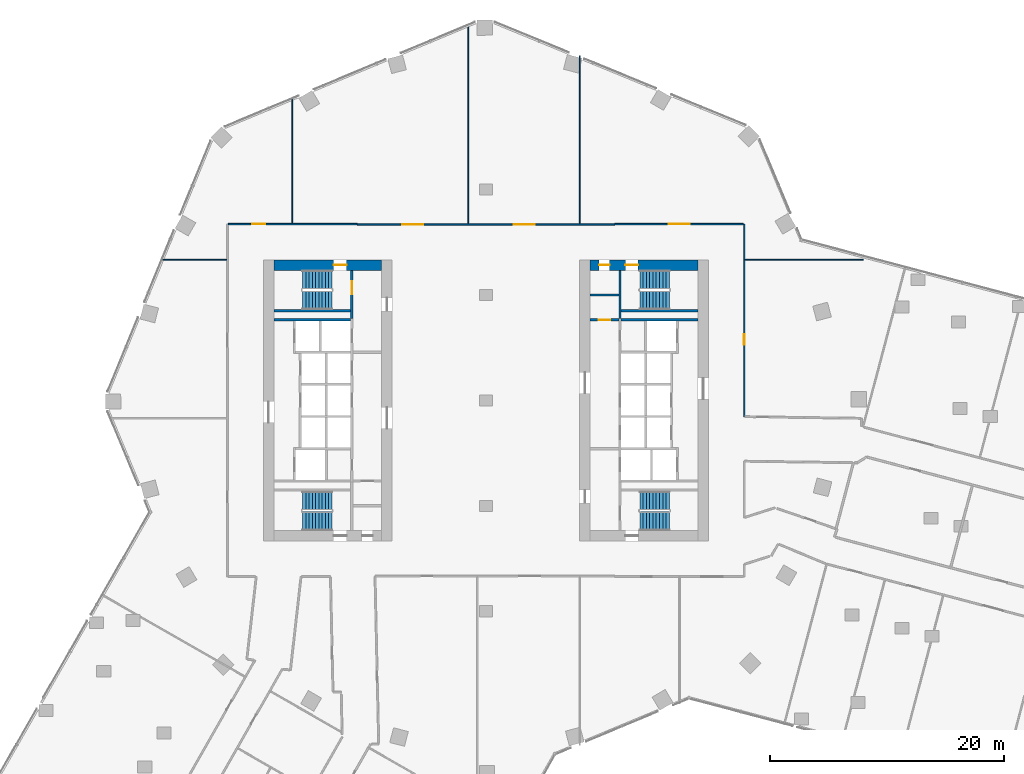
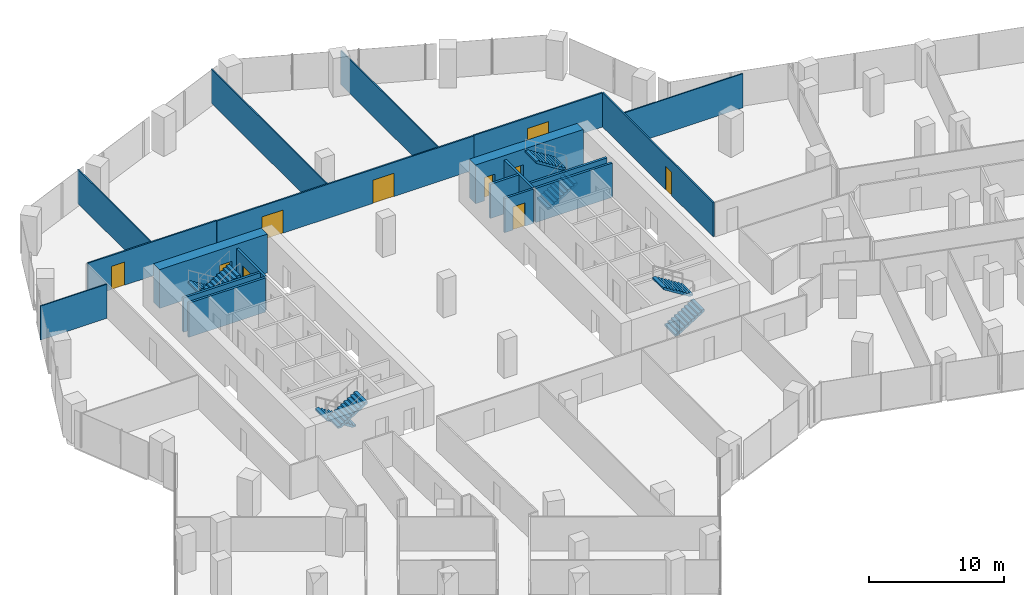
# One storey, part 30 of 34: 19 walls, 10 doors, 8 stair flights, 10 openings, 4 elements without a shape of their own.
"""IFC4 building model written with IfcOpenShell, lengths in metres."""

import ifcopenshell
import ifcopenshell.guid

model = None  # the IFC model being written
_history = None  # IfcOwnerHistory: only IFC2X3 demands one
_inside = {}  # id of a spatial element -> (the spatial element, [elements in it])
_under = {}  # id of a project, library or spatial element -> (it, [spatial elements below it])
_declared = {}  # id of a project -> (the project, [libraries it declares])
_typed = {}  # id of a type object -> (the type object, [elements of that type])
_made_of = {}  # id of a material, layer set ... -> (it, [elements and type objects made of it])


def new_model(schema):
    """Start an empty IFC model of exactly this schema.

    Asked for "IFC4X3", IfcOpenShell would pick the latest addendum, in which some entities
    have other attributes; the version numbers below select the first issue.
    IFC2X3 requires an IfcOwnerHistory on every rooted entity: one is made here for all.
    """
    global model, _history
    if schema == "IFC4X3":
        model = ifcopenshell.file(schema_version=(4, 3, 0, 0))
    else:
        model = ifcopenshell.file(schema=schema)
    _inside.clear()
    _under.clear()
    _declared.clear()
    _typed.clear()
    _made_of.clear()
    _history = None
    if model.schema == "IFC2X3":
        org = make("IfcOrganization", Name="unknown")
        user = make(
            "IfcPersonAndOrganization",
            ThePerson=make("IfcPerson", FamilyName="unknown"),
            TheOrganization=org,
        )
        app = make(
            "IfcApplication",
            ApplicationDeveloper=org,
            Version="unknown",
            ApplicationFullName="unknown",
            ApplicationIdentifier="unknown",
        )
        _history = make(
            "IfcOwnerHistory",
            OwningUser=user,
            OwningApplication=app,
            ChangeAction="ADDED",
            CreationDate=0,
        )
    return model


def make(cls, **values):
    """One entity of the class cls with the attributes given. An attribute that is None is left unset."""
    return model.create_entity(
        cls, **{name: value for name, value in values.items() if value is not None}
    )


def rooted(cls, **values):
    """An entity with a GlobalId (a new one), such as an element, a storey or a relation."""
    return make(cls, GlobalId=ifcopenshell.guid.new(), OwnerHistory=_history, **values)


def si_unit(unit_type, name, prefix=None):
    """IfcSIUnit, for example si_unit("LENGTHUNIT", "METRE", prefix="MILLI")."""
    return make("IfcSIUnit", UnitType=unit_type, Prefix=prefix, Name=name)


def assignment(units):
    """IfcUnitAssignment: the units of a project."""
    return None if units is None else make("IfcUnitAssignment", Units=units)


def point(xyz):
    """IfcCartesianPoint."""
    return None if xyz is None else make("IfcCartesianPoint", Coordinates=xyz)


def direction(xyz):
    """IfcDirection."""
    return None if xyz is None else make("IfcDirection", DirectionRatios=xyz)


def frame(location, z_axis=None, x_axis=None):
    """IfcAxis2Placement3D, a coordinate frame: its origin and axes. An axis left out is left unset."""
    return make(
        "IfcAxis2Placement3D",
        Location=point(location),
        Axis=direction(z_axis),
        RefDirection=direction(x_axis),
    )


def frame_2d(location, x_axis=None):
    """IfcAxis2Placement2D, a coordinate frame in the plane: its origin and x axis."""
    return make(
        "IfcAxis2Placement2D", Location=point(location), RefDirection=direction(x_axis)
    )


def origin():
    """The frame at (0, 0, 0) with its axes left unset."""
    return frame((0.0, 0.0, 0.0))


def place(relative_to, where):
    """IfcLocalPlacement: puts the frame where relative to a parent placement (None: the world)."""
    return make(
        "IfcLocalPlacement", PlacementRelTo=relative_to, RelativePlacement=where
    )


def context(
    kind, dimensions, precision=None, world=None, true_north=None, identifier=None
):
    """IfcGeometricRepresentationContext, for example the 3D "Model" context."""
    return make(
        "IfcGeometricRepresentationContext",
        ContextIdentifier=identifier,
        ContextType=kind,
        CoordinateSpaceDimension=dimensions,
        Precision=precision,
        WorldCoordinateSystem=world,
        TrueNorth=true_north,
    )


def subcontext(parent, identifier, kind, view, scale=None):
    """IfcGeometricRepresentationSubContext, for example "Body" below "Model"."""
    return make(
        "IfcGeometricRepresentationSubContext",
        ContextIdentifier=identifier,
        ContextType=kind,
        ParentContext=parent,
        TargetScale=scale,
        TargetView=view,
    )


def project(units=None, contexts=None):
    """IfcProject with its units and contexts."""
    return rooted(
        "IfcProject",
        Name="project",
        RepresentationContexts=contexts,
        UnitsInContext=assignment(units),
    )


def spatial(cls, under=None, at=None, **own):
    """A site, building, storey or space (cls), placed at a placement, below another one or the project."""
    s = rooted(cls, ObjectPlacement=at, **own)
    if under is not None:
        _under.setdefault(under.id(), (under, []))[1].append(s)
    return s


def polyline(points):
    """IfcPolyline through the points."""
    return make("IfcPolyline", Points=[point(p) for p in points])


def profile(cls, at=None, kind="AREA", **sizes):
    """A parametric profile (cls). Its sizes go by their IFC names, for example OverallWidth=200.0."""
    return make(cls, ProfileType=kind, Position=at, **sizes)


def rectangle(**sizes):
    """IfcRectangleProfileDef."""
    return profile("IfcRectangleProfileDef", **sizes)


def outline(outer, holes=None, kind="AREA"):
    """IfcArbitraryClosedProfileDef: a profile drawn as a closed curve; with holes, ...WithVoids."""
    if holes is None:
        return make("IfcArbitraryClosedProfileDef", ProfileType=kind, OuterCurve=outer)
    return make(
        "IfcArbitraryProfileDefWithVoids",
        ProfileType=kind,
        OuterCurve=outer,
        InnerCurves=holes,
    )


def extrude(swept, where, along, depth):
    """IfcExtrudedAreaSolid: the profile swept, set in the frame where, extruded along a direction by depth."""
    return make(
        "IfcExtrudedAreaSolid",
        SweptArea=swept,
        Position=where,
        ExtrudedDirection=direction(along),
        Depth=depth,
    )


def shape(context_of_items, identifier, shape_type, items):
    """IfcShapeRepresentation: the items that make up one representation, for example the "Body"."""
    return make(
        "IfcShapeRepresentation",
        ContextOfItems=context_of_items,
        RepresentationIdentifier=identifier,
        RepresentationType=shape_type,
        Items=items,
    )


def material(Name=None, Category=None):
    """IfcMaterial."""
    return make("IfcMaterial", Name=Name, Category=Category)


def layer(
    of_material, thickness, ventilated=None, Name=None, Category=None, Priority=None
):
    """IfcMaterialLayer: one layer of a wall or slab, of a material (None: an air gap)."""
    return make(
        "IfcMaterialLayer",
        Material=of_material,
        LayerThickness=thickness,
        IsVentilated=ventilated,
        Name=Name,
        Category=Category,
        Priority=Priority,
    )


def layer_set(layers, Name=None):
    """IfcMaterialLayerSet."""
    return make("IfcMaterialLayerSet", MaterialLayers=layers, LayerSetName=Name)


def made_of(thing, what):
    """Note that an element or type object is made of a material, layer set ...; save() writes the relation."""
    if what is not None:
        _made_of.setdefault(what.id(), (what, []))[1].append(thing)
    return thing


def type_object(cls, material=None, **own):
    """A type object (cls), such as IfcWallType, which elements share."""
    return made_of(rooted(cls, **own), material)


def element(
    cls,
    number,
    at=None,
    inside=None,
    cuts=None,
    type_object=None,
    material=None,
    context=None,
    identifier="Body",
    shape_type=None,
    held_by="IfcProductDefinitionShape",
    body=None,
    shapes=None,
    **own,
):
    """One element of the class cls, such as IfcWall. Its Tag is "e" and its number.

    at: its placement. inside: the storey or other place that contains it. cuts: it is an
    opening in that element (IfcRelVoidsElement). A single representation is given by context,
    identifier, shape_type and body (its items); several are given by shapes. held_by: the class
    of the entity that holds the representations. save() writes the other relations.
    """
    e = rooted(cls, Tag="e%d" % number, ObjectPlacement=at, **own)
    if body is not None:
        shapes = [shape(context, identifier, shape_type, body)]
    if shapes is not None:
        e.Representation = make(held_by, Representations=shapes)
    if inside is not None:
        _inside.setdefault(inside.id(), (inside, []))[1].append(e)
    if cuts is not None:
        rooted(
            "IfcRelVoidsElement", RelatingBuildingElement=cuts, RelatedOpeningElement=e
        )
    if type_object is not None:
        _typed.setdefault(type_object.id(), (type_object, []))[1].append(e)
    return made_of(e, material)


def fill(opening, filler):
    """IfcRelFillsElement: the door or window that sits in an opening."""
    return rooted(
        "IfcRelFillsElement",
        RelatingOpeningElement=opening,
        RelatedBuildingElement=filler,
    )


def aggregate(whole, parts):
    """IfcRelAggregates: a whole, such as a stair, and the parts it consists of."""
    return rooted("IfcRelAggregates", RelatingObject=whole, RelatedObjects=parts)


def save(model, path):
    """Write the relations noted so far, then the file.

    IfcRelAggregates (storeys below a building ...), IfcRelContainedInSpatialStructure (elements
    in a storey), IfcRelDefinesByType, IfcRelAssociatesMaterial and IfcRelDeclares: one each for
    every whole, place, type object, material and project.
    """
    for whole, parts in _under.values():
        aggregate(whole, parts)
    for where, things in _inside.values():
        rooted(
            "IfcRelContainedInSpatialStructure",
            RelatedElements=things,
            RelatingStructure=where,
        )
    for kind, things in _typed.values():
        rooted("IfcRelDefinesByType", RelatedObjects=things, RelatingType=kind)
    for what, things in _made_of.values():
        rooted("IfcRelAssociatesMaterial", RelatedObjects=things, RelatingMaterial=what)
    for by, libraries in _declared.values():
        rooted("IfcRelDeclares", RelatingContext=by, RelatedDefinitions=libraries)
    model.write(path)


model = new_model("IFC4")

# Units and contexts
model_context = context("Model", 3, precision=1e-05, world=origin(), true_north=direction((0.0, 1.0)))
body_context = subcontext(model_context, "Body", "Model", "MODEL_VIEW")
ifc_project = project(units=[si_unit("LENGTHUNIT", "METRE"), si_unit("AREAUNIT", "SQUARE_METRE"), si_unit("VOLUMEUNIT", "CUBIC_METRE"), si_unit("PLANEANGLEUNIT", "RADIAN"), si_unit("MASSUNIT", "GRAM", prefix="KILO")], contexts=[model_context])

# Site, building, storey
site_placement = place(None, origin())
site = spatial("IfcSite", under=ifc_project, at=site_placement, CompositionType="ELEMENT")
building_placement = place(site_placement, origin())
building = spatial("IfcBuilding", under=site, at=building_placement, Name="Orlundy Tower", CompositionType="ELEMENT")
storey_placement = place(building_placement, frame((0.0, 0.0, 109.199951171875)))
storey = spatial("IfcBuildingStorey", under=building, at=storey_placement, Name="L27", CompositionType="ELEMENT", Elevation=109.199951171875)

# Wall, opening, door
ifc_material_1 = material(Name="Concrete C80/95", Category="concrete")
ifc_layer_1 = layer(ifc_material_1, 0.89990234375)
ifc_layer_set_1 = layer_set([ifc_layer_1], Name="CORE WALL 900 C80/95")
wall_type_1 = type_object("IfcWallType", Name="CORE WALL 900 C80/95", PredefinedType="SHEAR", material=ifc_layer_set_1)
wall_1_placement = place(storey_placement, frame((-18.10009765625, 11.550048828125, 0.0), z_axis=(0.0, 0.0, 1.0), x_axis=(1.0, 0.0, 0.0)))
wall_1 = element("IfcWall", 1, at=wall_1_placement, inside=storey, type_object=wall_type_1, Name="Core wall W-N L27", PredefinedType="SHEAR", context=body_context, shape_type="SweptSolid", body=[
    extrude(rectangle(XDim=9.2001953125, YDim=0.89990234375, at=frame_2d((4.60009765625, 0.0))), origin(), (0.0, 0.0, 1.0), 3.5),
])
opening_1_placement = place(wall_1_placement, frame((5.10009765625, 0.0, 0.0)))
opening_1 = element("IfcOpeningElement", 2, at=opening_1_placement, cuts=wall_1, Name="Opening 21012", PredefinedType="OPENING", context=body_context, shape_type="SweptSolid", body=[
    extrude(rectangle(XDim=1.10009765625, YDim=2.10009765625, at=frame_2d((0.550048828125, 1.050048828125))), frame((0.0, 0.4599609375, 0.0), z_axis=(0.0, -1.0, 0.0), x_axis=(1.0, 0.0, 0.0)), (0.0, 0.0, 1.0), 0.919921875),
])
ifc_material_2 = material(Name="Steel door set", Category="steel")
door_type_1 = type_object("IfcDoorType", Name="Stair Door 1100x2100", OperationType="SINGLE_SWING_LEFT", PredefinedType="DOOR", material=ifc_material_2)
door_1_placement = place(opening_1_placement, origin())
door_1 = element("IfcDoor", 3, at=door_1_placement, inside=storey, type_object=door_type_1, Name="Stair door 21012", OperationType="SINGLE_SWING_RIGHT", OverallHeight=2.10009765625, OverallWidth=1.10009765625, PredefinedType="DOOR", context=body_context, shape_type="SweptSolid", body=[
    extrude(rectangle(XDim=1.10009765625, YDim=2.10009765625, at=frame_2d((0.550048828125, 1.050048828125))), frame((0.0, 0.02490234375, 0.0), z_axis=(0.0, -1.0, 0.0), x_axis=(1.0, 0.0, 0.0)), (0.0, 0.0, 1.0), 0.050048828125),
])
fill(opening_1, door_1)

# Wall, openings, doors
wall_2_placement = place(storey_placement, frame((8.89990234375, 11.550048828125, 0.0), z_axis=(0.0, 0.0, 1.0), x_axis=(1.0, 0.0, 0.0)))
wall_2 = element("IfcWall", 4, at=wall_2_placement, inside=storey, type_object=wall_type_1, Name="Core wall E-N L27", PredefinedType="SHEAR", context=body_context, shape_type="SweptSolid", body=[
    extrude(rectangle(XDim=9.2001953125, YDim=0.89990234375, at=frame_2d((4.60009765625, 0.0))), origin(), (0.0, 0.0, 1.0), 3.5),
])
opening_2_placement = place(wall_2_placement, frame((3.0, 0.0, 0.0)))
opening_2 = element("IfcOpeningElement", 5, at=opening_2_placement, cuts=wall_2, Name="Opening 21062", PredefinedType="OPENING", context=body_context, shape_type="SweptSolid", body=[
    extrude(rectangle(XDim=1.10009765625, YDim=2.10009765625, at=frame_2d((0.550048828125, 1.050048828125))), frame((0.0, 0.4599609375, 0.0), z_axis=(0.0, -1.0, 0.0), x_axis=(1.0, 0.0, 0.0)), (0.0, 0.0, 1.0), 0.919921875),
])
opening_3_placement = place(wall_2_placement, frame((0.77001953125, 0.0, 0.0)))
opening_3 = element("IfcOpeningElement", 6, at=opening_3_placement, cuts=wall_2, Name="Opening 21064", PredefinedType="OPENING", context=body_context, shape_type="SweptSolid", body=[
    extrude(rectangle(XDim=0.89990234375, YDim=2.10009765625, at=frame_2d((0.449951171875, 1.050048828125))), frame((0.0, 0.4599609375, 0.0), z_axis=(0.0, -1.0, 0.0), x_axis=(1.0, 0.0, 0.0)), (0.0, 0.0, 1.0), 0.919921875),
])
ifc_material_3 = material(Name="Timber door set", Category="wood")
door_type_2 = type_object("IfcDoorType", Name="Room Door 900x2100", OperationType="SINGLE_SWING_LEFT", PredefinedType="DOOR", material=ifc_material_3)
door_2_placement = place(opening_3_placement, origin())
door_2 = element("IfcDoor", 7, at=door_2_placement, inside=storey, type_object=door_type_2, Name="Store door 21064", OperationType="SINGLE_SWING_LEFT", OverallHeight=2.10009765625, OverallWidth=0.89990234375, PredefinedType="DOOR", context=body_context, shape_type="SweptSolid", body=[
    extrude(rectangle(XDim=0.89990234375, YDim=2.10009765625, at=frame_2d((0.449951171875, 1.050048828125))), frame((0.0, 0.02490234375, 0.0), z_axis=(0.0, -1.0, 0.0), x_axis=(1.0, 0.0, 0.0)), (0.0, 0.0, 1.0), 0.050048828125),
])
fill(opening_3, door_2)
door_3_placement = place(opening_2_placement, origin())
door_3 = element("IfcDoor", 8, at=door_3_placement, inside=storey, type_object=door_type_1, Name="Stair door 21062", OperationType="SINGLE_SWING_LEFT", OverallHeight=2.10009765625, OverallWidth=1.10009765625, PredefinedType="DOOR", context=body_context, shape_type="SweptSolid", body=[
    extrude(rectangle(XDim=1.10009765625, YDim=2.10009765625, at=frame_2d((0.550048828125, 1.050048828125))), frame((0.0, 0.02490234375, 0.0), z_axis=(0.0, -1.0, 0.0), x_axis=(1.0, 0.0, 0.0)), (0.0, 0.0, 1.0), 0.050048828125),
])
fill(opening_2, door_3)

# Walls
ifc_material_4 = material(Name="Gypsum board partition")
ifc_layer_2 = layer(ifc_material_4, 0.10009765625)
ifc_layer_set_2 = layer_set([ifc_layer_2], Name="Floor partition 100")
wall_type_2 = type_object("IfcWallType", Name="Floor partition 100", PredefinedType="PARTITIONING", material=ifc_layer_set_2)
wall_3_placement = place(storey_placement, frame((-27.77392578125, 12.0, 0.0), z_axis=(0.0, 0.0, 1.0), x_axis=(1.0, 0.0, 0.0)))
element("IfcWall", 9, at=wall_3_placement, inside=storey, type_object=wall_type_2, Name="wall-int-L27-036", PredefinedType="PARTITIONING", context=body_context, shape_type="SweptSolid", body=[
    extrude(rectangle(XDim=5.660888671875, YDim=0.10009765625, at=frame_2d((2.83056640625, 0.0))), origin(), (0.0, 0.0, 1.0), 3.080078125),
])
wall_4_placement = place(storey_placement, frame((22.113037109375, 12.0, 0.0), z_axis=(0.0, 0.0, 1.0), x_axis=(1.0, 0.0, 0.0)))
element("IfcWall", 10, at=wall_4_placement, inside=storey, type_object=wall_type_2, Name="wall-int-L27-037", PredefinedType="PARTITIONING", context=body_context, shape_type="SweptSolid", body=[
    extrude(rectangle(XDim=10.113037109375, YDim=0.10009765625, at=frame_2d((5.056640625, 0.0))), origin(), (0.0, 0.0, 1.0), 3.080078125),
])
wall_5_placement = place(storey_placement, frame((8.0, 15.06298828125, 0.0), z_axis=(0.0, 0.0, 1.0), x_axis=(0.0, 1.0, 0.0)))
element("IfcWall", 11, at=wall_5_placement, inside=storey, type_object=wall_type_2, Name="wall-int-L27-078", PredefinedType="PARTITIONING", context=body_context, shape_type="SweptSolid", body=[
    extrude(rectangle(XDim=14.35400390625, YDim=0.10009765625, at=frame_2d((7.177001953125, 0.0))), origin(), (0.0, 0.0, 1.0), 3.080078125),
])
wall_6_placement = place(storey_placement, frame((-1.4951171875, 15.06298828125, 0.0), z_axis=(0.0, 0.0, 1.0), x_axis=(0.0, 1.0, 0.0)))
element("IfcWall", 12, at=wall_6_placement, inside=storey, type_object=wall_type_2, Name="wall-int-L27-080", PredefinedType="PARTITIONING", context=body_context, shape_type="SweptSolid", body=[
    extrude(rectangle(XDim=17.094970703125, YDim=0.10009765625, at=frame_2d((8.54736328125, 0.0))), origin(), (0.0, 0.0, 1.0), 3.080078125),
])
wall_7_placement = place(storey_placement, frame((-16.52001953125, 15.114013671875, 0.0), z_axis=(0.0, 0.0, 1.0), x_axis=(0.0, 1.0, 0.0)))
element("IfcWall", 13, at=wall_7_placement, inside=storey, type_object=wall_type_2, Name="wall-int-L27-081", PredefinedType="PARTITIONING", context=body_context, shape_type="SweptSolid", body=[
    extrude(rectangle(XDim=10.76904296875, YDim=0.10009765625, at=frame_2d((5.384521484375, 0.0))), origin(), (0.0, 0.0, 1.0), 3.080078125),
])

# Wall, openings, doors
ifc_material_5 = material(Name="Gypsum board partition, double layer")
ifc_layer_3 = layer(ifc_material_5, 0.125)
ifc_layer_set_3 = layer_set([ifc_layer_3], Name="Floor partition 125")
wall_type_3 = type_object("IfcWallType", Name="Floor partition 125", PredefinedType="PARTITIONING", material=ifc_layer_set_3)
wall_8_placement = place(storey_placement, frame((-10.989990234375, 15.0009765625, 0.0), z_axis=(0.0, 0.0, 1.0), x_axis=(1.0, 0.0, 0.0)))
wall_8 = element("IfcWall", 14, at=wall_8_placement, inside=storey, type_object=wall_type_3, Name="wall-int-L27-038", PredefinedType="PARTITIONING", context=body_context, shape_type="SweptSolid", body=[
    extrude(rectangle(XDim=21.97998046875, YDim=0.125, at=frame_2d((10.989990234375, 0.0))), origin(), (0.0, 0.0, 1.0), 3.080078125),
])
opening_4_placement = place(wall_8_placement, frame((13.344970703125, 0.0, 0.0)))
opening_4 = element("IfcOpeningElement", 15, at=opening_4_placement, cuts=wall_8, Name="Opening 21130", PredefinedType="OPENING", context=body_context, shape_type="SweptSolid", body=[
    extrude(rectangle(XDim=1.800048828125, YDim=2.10009765625, at=frame_2d((0.89990234375, 1.050048828125))), frame((0.0, 0.072509765625, 0.0), z_axis=(0.0, -1.0, 0.0), x_axis=(1.0, 0.0, 0.0)), (0.0, 0.0, 1.0), 0.14501953125),
])
opening_5_placement = place(wall_8_placement, frame((3.85009765625, 0.0, 0.0)))
opening_5 = element("IfcOpeningElement", 16, at=opening_5_placement, cuts=wall_8, Name="Opening 21131", PredefinedType="OPENING", context=body_context, shape_type="SweptSolid", body=[
    extrude(rectangle(XDim=1.800048828125, YDim=2.10009765625, at=frame_2d((0.89990234375, 1.050048828125))), frame((0.0, 0.072509765625, 0.0), z_axis=(0.0, -1.0, 0.0), x_axis=(1.0, 0.0, 0.0)), (0.0, 0.0, 1.0), 0.14501953125),
])
ifc_material_6 = material(Name="Timber door leaf", Category="wood")
door_type_3 = type_object("IfcDoorType", Name="Floor door double 1800 FD30S", OperationType="NOTDEFINED", PredefinedType="DOOR", material=ifc_material_6)
door_4_placement = place(opening_4_placement, origin())
door_4 = element("IfcDoor", 17, at=door_4_placement, inside=storey, type_object=door_type_3, Name="Door 21130", OperationType="DOUBLE_DOOR_SINGLE_SWING", OverallHeight=2.10009765625, OverallWidth=1.800048828125, PredefinedType="DOOR", context=body_context, shape_type="SweptSolid", body=[
    extrude(rectangle(XDim=1.800048828125, YDim=2.10009765625, at=frame_2d((0.89990234375, 1.050048828125))), frame((0.0, 0.02490234375, 0.0), z_axis=(0.0, -1.0, 0.0), x_axis=(1.0, 0.0, 0.0)), (0.0, 0.0, 1.0), 0.050048828125),
])
fill(opening_4, door_4)
door_5_placement = place(opening_5_placement, origin())
door_5 = element("IfcDoor", 18, at=door_5_placement, inside=storey, type_object=door_type_3, Name="Door 21131", OperationType="DOUBLE_DOOR_SINGLE_SWING", OverallHeight=2.10009765625, OverallWidth=1.800048828125, PredefinedType="DOOR", context=body_context, shape_type="SweptSolid", body=[
    extrude(rectangle(XDim=1.800048828125, YDim=2.10009765625, at=frame_2d((0.89990234375, 1.050048828125))), frame((0.0, 0.02490234375, 0.0), z_axis=(0.0, -1.0, 0.0), x_axis=(1.0, 0.0, 0.0)), (0.0, 0.0, 1.0), 0.050048828125),
])
fill(opening_5, door_5)

# Wall, opening, door
wall_9_placement = place(storey_placement, frame((-21.988037109375, 15.051025390625, 0.0), z_axis=(0.0, 0.0, 1.0), x_axis=(1.0, 0.0, 0.0)))
wall_9 = element("IfcWall", 19, at=wall_9_placement, inside=storey, type_object=wall_type_3, Name="wall-int-L27-039", PredefinedType="PARTITIONING", context=body_context, shape_type="SweptSolid", body=[
    extrude(rectangle(XDim=10.9970703125, YDim=0.125, at=frame_2d((5.49853515625, 0.0))), origin(), (0.0, 0.0, 1.0), 3.080078125),
])
opening_6_placement = place(wall_9_placement, frame((2.03759765625, 0.0, 0.0)))
opening_6 = element("IfcOpeningElement", 20, at=opening_6_placement, cuts=wall_9, Name="Opening 21132", PredefinedType="OPENING", context=body_context, shape_type="SweptSolid", body=[
    extrude(rectangle(XDim=1.10009765625, YDim=2.10009765625, at=frame_2d((0.550048828125, 1.050048828125))), frame((0.0, 0.072509765625, 0.0), z_axis=(0.0, -1.0, 0.0), x_axis=(1.0, 0.0, 0.0)), (0.0, 0.0, 1.0), 0.14501953125),
])
ifc_material_7 = material(Name="Timber door leaf", Category="wood")
door_type_4 = type_object("IfcDoorType", Name="Floor door xwide 1100 FD30S", OperationType="NOTDEFINED", PredefinedType="DOOR", material=ifc_material_7)
door_6_placement = place(opening_6_placement, origin())
door_6 = element("IfcDoor", 21, at=door_6_placement, inside=storey, type_object=door_type_4, Name="Door 21132", OperationType="SINGLE_SWING_LEFT", OverallHeight=2.10009765625, OverallWidth=1.10009765625, PredefinedType="DOOR", context=body_context, shape_type="SweptSolid", body=[
    extrude(rectangle(XDim=1.10009765625, YDim=2.10009765625, at=frame_2d((0.550048828125, 1.050048828125))), frame((0.0, 0.02490234375, 0.0), z_axis=(0.0, -1.0, 0.0), x_axis=(1.0, 0.0, 0.0)), (0.0, 0.0, 1.0), 0.050048828125),
])
fill(opening_6, door_6)

wall_10_placement = place(storey_placement, frame((10.990966796875, 15.051025390625, 0.0), z_axis=(0.0, 0.0, 1.0), x_axis=(1.0, 0.0, 0.0)))
wall_10 = element("IfcWall", 22, at=wall_10_placement, inside=storey, type_object=wall_type_3, Name="wall-int-L27-040", PredefinedType="PARTITIONING", context=body_context, shape_type="SweptSolid", body=[
    extrude(rectangle(XDim=10.9970703125, YDim=0.125, at=frame_2d((5.49853515625, 0.0))), origin(), (0.0, 0.0, 1.0), 3.080078125),
])
opening_7_placement = place(wall_10_placement, frame((4.60009765625, 0.0, 0.0)))
opening_7 = element("IfcOpeningElement", 23, at=opening_7_placement, cuts=wall_10, Name="Opening 21129", PredefinedType="OPENING", context=body_context, shape_type="SweptSolid", body=[
    extrude(rectangle(XDim=1.800048828125, YDim=2.10009765625, at=frame_2d((0.89990234375, 1.050048828125))), frame((0.0, 0.072509765625, 0.0), z_axis=(0.0, -1.0, 0.0), x_axis=(1.0, 0.0, 0.0)), (0.0, 0.0, 1.0), 0.14501953125),
])
door_7_placement = place(opening_7_placement, origin())
door_7 = element("IfcDoor", 24, at=door_7_placement, inside=storey, type_object=door_type_3, Name="Door 21129", OperationType="DOUBLE_DOOR_SINGLE_SWING", OverallHeight=2.10009765625, OverallWidth=1.800048828125, PredefinedType="DOOR", context=body_context, shape_type="SweptSolid", body=[
    extrude(rectangle(XDim=1.800048828125, YDim=2.10009765625, at=frame_2d((0.89990234375, 1.050048828125))), frame((0.0, 0.02490234375, 0.0), z_axis=(0.0, -1.0, 0.0), x_axis=(1.0, 0.0, 0.0)), (0.0, 0.0, 1.0), 0.050048828125),
])
fill(opening_7, door_7)

wall_11_placement = place(storey_placement, frame((22.051025390625, 15.050048828125, 0.0), z_axis=(0.0, 0.0, 1.0), x_axis=(0.0, -1.0, 0.0)))
wall_11 = element("IfcWall", 25, at=wall_11_placement, inside=storey, type_object=wall_type_3, Name="wall-int-L27-075", PredefinedType="PARTITIONING", context=body_context, shape_type="SweptSolid", body=[
    extrude(rectangle(XDim=16.43603515625, YDim=0.125, at=frame_2d((8.218017578125, 0.0))), origin(), (0.0, 0.0, 1.0), 3.080078125),
])
opening_8_placement = place(wall_11_placement, frame((9.39990234375, 0.0, 0.0)))
opening_8 = element("IfcOpeningElement", 26, at=opening_8_placement, cuts=wall_11, Name="Opening 21127", PredefinedType="OPENING", context=body_context, shape_type="SweptSolid", body=[
    extrude(rectangle(XDim=0.89990234375, YDim=2.10009765625, at=frame_2d((0.449951171875, 1.050048828125))), frame((0.0, 0.072509765625, 0.0), z_axis=(0.0, -1.0, 0.0), x_axis=(1.0, 0.0, 0.0)), (0.0, 0.0, 1.0), 0.14501953125),
])
ifc_material_8 = material(Name="Timber door leaf", Category="wood")
door_type_5 = type_object("IfcDoorType", Name="Floor door single 900 FD30S", OperationType="NOTDEFINED", PredefinedType="DOOR", material=ifc_material_8)
door_8_placement = place(opening_8_placement, origin())
door_8 = element("IfcDoor", 27, at=door_8_placement, inside=storey, type_object=door_type_5, Name="Door 21127", OperationType="SINGLE_SWING_RIGHT", OverallHeight=2.10009765625, OverallWidth=0.89990234375, PredefinedType="DOOR", context=body_context, shape_type="SweptSolid", body=[
    extrude(rectangle(XDim=0.89990234375, YDim=2.10009765625, at=frame_2d((0.449951171875, 1.050048828125))), frame((0.0, 0.02490234375, 0.0), z_axis=(0.0, -1.0, 0.0), x_axis=(1.0, 0.0, 0.0)), (0.0, 0.0, 1.0), 0.050048828125),
])
fill(opening_8, door_8)

ifc_material_9 = material(Name="Concrete C40/50", Category="concrete")
ifc_layer_4 = layer(ifc_material_9, 0.199951171875)
ifc_layer_set_4 = layer_set([ifc_layer_4], Name="Load-bearing Shaft Wall 200")
wall_type_4 = type_object("IfcWallType", Name="Load-bearing Shaft Wall 200", PredefinedType="SOLIDWALL", material=ifc_layer_set_4)
wall_12_placement = place(storey_placement, frame((-11.43994140625, 6.97509765625, 0.0), z_axis=(0.0, 0.0, 1.0), x_axis=(0.0, 1.0, 0.0)))
wall_12 = element("IfcWall", 28, at=wall_12_placement, inside=storey, type_object=wall_type_4, Name="Shaft wall W21-stair-end-n", PredefinedType="SOLIDWALL", context=body_context, shape_type="SweptSolid", body=[
    extrude(rectangle(XDim=4.125, YDim=0.199951171875, at=frame_2d((2.0625, 0.0))), origin(), (0.0, 0.0, 1.0), 3.090087890625),
])
opening_9_placement = place(wall_12_placement, frame((2.10009765625, 0.0, 0.0)))
opening_9 = element("IfcOpeningElement", 29, at=opening_9_placement, cuts=wall_12, Name="Opening 21014", PredefinedType="OPENING", context=body_context, shape_type="SweptSolid", body=[
    extrude(rectangle(XDim=1.10009765625, YDim=2.10009765625, at=frame_2d((0.550048828125, 1.050048828125))), frame((0.0, 0.110107421875, 0.0), z_axis=(0.0, -1.0, 0.0), x_axis=(1.0, 0.0, 0.0)), (0.0, 0.0, 1.0), 0.22021484375),
])
ifc_material_10 = material(Name="Steel door set", Category="steel")
door_type_6 = type_object("IfcDoorType", Name="Fire-fighting Lobby Door 1100x2100", OperationType="SINGLE_SWING_LEFT", PredefinedType="DOOR", material=ifc_material_10)
door_9_placement = place(opening_9_placement, origin())
door_9 = element("IfcDoor", 30, at=door_9_placement, inside=storey, type_object=door_type_6, Name="Fire-fighting lobby to stair door 21014", OperationType="SINGLE_SWING_RIGHT", OverallHeight=2.10009765625, OverallWidth=1.10009765625, PredefinedType="DOOR", context=body_context, shape_type="SweptSolid", body=[
    extrude(rectangle(XDim=1.10009765625, YDim=2.10009765625, at=frame_2d((0.550048828125, 1.050048828125))), frame((0.0, 0.02490234375, 0.0), z_axis=(0.0, -1.0, 0.0), x_axis=(1.0, 0.0, 0.0)), (0.0, 0.0, 1.0), 0.050048828125),
])
fill(opening_9, door_9)

# Walls
wall_13_placement = place(storey_placement, frame((-11.5400390625, 7.64990234375, 0.0), z_axis=(0.0, 0.0, 1.0), x_axis=(-1.0, 0.0, 0.0)))
element("IfcWall", 31, at=wall_13_placement, inside=storey, type_object=wall_type_4, Name="Shaft wall W21-stair-side-n", PredefinedType="SOLIDWALL", context=body_context, shape_type="SweptSolid", body=[
    extrude(rectangle(XDim=6.56005859375, YDim=0.199951171875, at=frame_2d((3.280029296875, 0.0))), origin(), (0.0, 0.0, 1.0), 3.090087890625),
])
wall_14_placement = place(storey_placement, frame((11.43994140625, 11.10009765625, 0.0), z_axis=(0.0, 0.0, 1.0), x_axis=(0.0, -1.0, 0.0)))
element("IfcWall", 32, at=wall_14_placement, inside=storey, type_object=wall_type_4, Name="Shaft wall E21-stair-end-s", PredefinedType="SOLIDWALL", context=body_context, shape_type="SweptSolid", body=[
    extrude(rectangle(XDim=4.125, YDim=0.199951171875, at=frame_2d((2.0625, 0.0))), origin(), (0.0, 0.0, 1.0), 3.090087890625),
])
wall_15_placement = place(storey_placement, frame((11.5400390625, 7.64990234375, 0.0), z_axis=(0.0, 0.0, 1.0), x_axis=(1.0, 0.0, 0.0)))
element("IfcWall", 33, at=wall_15_placement, inside=storey, type_object=wall_type_4, Name="Shaft wall E21-stair-side-s", PredefinedType="SOLIDWALL", context=body_context, shape_type="SweptSolid", body=[
    extrude(rectangle(XDim=6.56005859375, YDim=0.199951171875, at=frame_2d((3.280029296875, 0.0))), origin(), (0.0, 0.0, 1.0), 3.090087890625),
])

# Wall, opening, door
ifc_material_11 = material(Name="Gypsum board partition on steel studs", Category="steel")
ifc_layer_5 = layer(ifc_material_11, 0.199951171875)
ifc_layer_set_5 = layer_set([ifc_layer_5], Name="Partition 200")
wall_type_5 = type_object("IfcWallType", Name="Partition 200", PredefinedType="PARTITIONING", material=ifc_layer_set_5)
wall_16_placement = place(storey_placement, frame((8.89990234375, 6.875, 0.0), z_axis=(0.0, 0.0, 1.0), x_axis=(1.0, 0.0, 0.0)))
wall_16 = element("IfcWall", 34, at=wall_16_placement, inside=storey, type_object=wall_type_5, Name="Partition wall E21-end-s", PredefinedType="PARTITIONING", context=body_context, shape_type="SweptSolid", body=[
    extrude(rectangle(XDim=2.440185546875, YDim=0.199951171875, at=frame_2d((1.22021484375, 0.0))), origin(), (0.0, 0.0, 1.0), 3.090087890625),
])
opening_10_placement = place(wall_16_placement, frame((0.719970703125, 0.0, 0.0)))
opening_10 = element("IfcOpeningElement", 35, at=opening_10_placement, cuts=wall_16, Name="Opening 21065", PredefinedType="OPENING", context=body_context, shape_type="SweptSolid", body=[
    extrude(rectangle(XDim=1.0, YDim=2.10009765625, at=frame_2d((0.5, 1.050048828125))), frame((0.0, 0.110107421875, 0.0), z_axis=(0.0, -1.0, 0.0), x_axis=(1.0, 0.0, 0.0)), (0.0, 0.0, 1.0), 0.22021484375),
])
ifc_material_12 = material(Name="Timber door set", Category="wood")
door_type_7 = type_object("IfcDoorType", Name="Accessible Door 1000x2100", OperationType="SINGLE_SWING_LEFT", PredefinedType="DOOR", material=ifc_material_12)
door_10_placement = place(opening_10_placement, origin())
door_10 = element("IfcDoor", 36, at=door_10_placement, inside=storey, type_object=door_type_7, Name="Accessible WC door 21065", OperationType="SINGLE_SWING_RIGHT", OverallHeight=2.10009765625, OverallWidth=1.0, PredefinedType="DOOR", context=body_context, shape_type="SweptSolid", body=[
    extrude(rectangle(XDim=1.0, YDim=2.10009765625, at=frame_2d((0.5, 1.050048828125))), frame((0.0, 0.02490234375, 0.0), z_axis=(0.0, -1.0, 0.0), x_axis=(1.0, 0.0, 0.0)), (0.0, 0.0, 1.0), 0.050048828125),
])
fill(opening_10, door_10)

# Walls
wall_17_placement = place(storey_placement, frame((8.89990234375, 9.0, 0.0), z_axis=(0.0, 0.0, 1.0), x_axis=(1.0, 0.0, 0.0)))
element("IfcWall", 37, at=wall_17_placement, inside=storey, type_object=wall_type_5, Name="Partition wall E21-room-s0", PredefinedType="PARTITIONING", context=body_context, shape_type="SweptSolid", body=[
    extrude(rectangle(XDim=2.440185546875, YDim=0.199951171875, at=frame_2d((1.22021484375, 0.0))), origin(), (0.0, 0.0, 1.0), 3.090087890625),
])
ifc_material_13 = material(Name="Fire-rated blockwork shaft wall", Category="masonry")
ifc_layer_6 = layer(ifc_material_13, 0.199951171875)
ifc_layer_set_6 = layer_set([ifc_layer_6], Name="Shaft Wall 200")
wall_type_6 = type_object("IfcWallType", Name="Shaft Wall 200", PredefinedType="SOLIDWALL", material=ifc_layer_set_6)
for number, where, z_axis, x_axis, name in (
    (38, (-11.5400390625, 6.875, 0.0), (0.0, 0.0, 1.0), (-1.0, 0.0, 0.0), "Shaft wall W21-zone-n"),
    (39, (11.5400390625, 6.875, 0.0), (0.0, 0.0, 1.0), (1.0, 0.0, 0.0), "Shaft wall E21-zone-s"),
):
    element("IfcWall", number, at=place(storey_placement, frame(where, z_axis=z_axis, x_axis=x_axis)), inside=storey, type_object=wall_type_6, Name=name, PredefinedType="SOLIDWALL", context=body_context, shape_type="SweptSolid", body=[
        extrude(rectangle(XDim=6.56005859375, YDim=0.199951171875, at=frame_2d((3.280029296875, 0.0))), origin(), (0.0, 0.0, 1.0), 3.090087890625),
    ])

# Stair, stair flights
ifc_material_14 = material(Name="Concrete C50/60", Category="concrete")
stair_type = type_object("IfcStairType", Name="Exit Stair 20 risers", PredefinedType="HALF_TURN_STAIR", material=ifc_material_14)
stair_1_placement = place(storey_placement, origin())
stair_1 = element("IfcStair", 40, at=stair_1_placement, inside=storey, type_object=stair_type, Name="L27 Exit Stair ST-W1", PredefinedType="HALF_TURN_STAIR")
ifc_material_15 = material(Name="Concrete C50/60", Category="concrete")
stair_flight_type = type_object("IfcStairFlightType", Name="Stair Flight 10 risers", PredefinedType="STRAIGHT", material=ifc_material_15)
stair_flight_1_placement = place(storey_placement, frame((-13.139892578125, 10.300048828125, 0.0), z_axis=(0.0, 0.0, 1.0), x_axis=(-1.0, 0.0, 0.0)))
stair_flight_1 = element("IfcStairFlight", 41, at=stair_flight_1_placement, type_object=stair_flight_type, Name="ST-W1 flight 1", NumberOfRisers=10, NumberOfTreads=9, PredefinedType="STRAIGHT", RiserHeight=0.175, TreadLength=0.28, context=body_context, shape_type="SweptSolid", body=[
    extrude(outline(polyline([(0.0, 0.0), (0.0, 0.175048828125), (0.280029296875, 0.175048828125), (0.280029296875, 0.35009765625), (0.56005859375, 0.35009765625), (0.56005859375, 0.52490234375), (0.840087890625, 0.52490234375), (0.840087890625, 0.699951171875), (1.1201171875, 0.699951171875), (1.1201171875, 0.875), (1.39990234375, 0.875), (1.39990234375, 1.050048828125), (1.679931640625, 1.050048828125), (1.679931640625, 1.22509765625), (1.9599609375, 1.22509765625), (1.9599609375, 1.39990234375), (2.239990234375, 1.39990234375), (2.239990234375, 1.574951171875), (2.52001953125, 1.574951171875), (2.52001953125, 1.75), (2.52001953125, 1.398193359375), (0.28271484375, 0.0), (0.0, 0.0)])), frame((0.0, 0.800048828125, 0.0), z_axis=(0.0, -1.0, 0.0), x_axis=(1.0, 0.0, 0.0)), (0.0, 0.0, 1.0), 1.60009765625),
])
stair_flight_2_placement = place(storey_placement, frame((-15.659912109375, 8.550048828125, 1.75), z_axis=(0.0, 0.0, 1.0), x_axis=(1.0, 0.0, 0.0)))
stair_flight_2 = element("IfcStairFlight", 42, at=stair_flight_2_placement, type_object=stair_flight_type, Name="ST-W1 flight 2", NumberOfRisers=10, NumberOfTreads=9, PredefinedType="STRAIGHT", RiserHeight=0.175, TreadLength=0.28, context=body_context, shape_type="SweptSolid", body=[
    extrude(outline(polyline([(0.0, 0.0), (0.0, 0.175048828125), (0.280029296875, 0.175048828125), (0.280029296875, 0.35009765625), (0.56005859375, 0.35009765625), (0.56005859375, 0.52490234375), (0.840087890625, 0.52490234375), (0.840087890625, 0.699951171875), (1.1201171875, 0.699951171875), (1.1201171875, 0.875), (1.39990234375, 0.875), (1.39990234375, 1.050048828125), (1.679931640625, 1.050048828125), (1.679931640625, 1.22509765625), (1.9599609375, 1.22509765625), (1.9599609375, 1.39990234375), (2.239990234375, 1.39990234375), (2.239990234375, 1.574951171875), (2.52001953125, 1.574951171875), (2.52001953125, 1.75), (2.52001953125, 1.398193359375), (0.28271484375, 0.0), (0.0, 0.0)])), frame((0.0, 0.800048828125, 0.0), z_axis=(0.0, -1.0, 0.0), x_axis=(1.0, 0.0, 0.0)), (0.0, 0.0, 1.0), 1.60009765625),
])
aggregate(stair_1, [stair_flight_1, stair_flight_2])

stair_2_placement = place(storey_placement, origin())
stair_2 = element("IfcStair", 43, at=stair_2_placement, inside=storey, type_object=stair_type, Name="L27 Exit Stair ST-W2", PredefinedType="HALF_TURN_STAIR")
stair_flight_3_placement = place(storey_placement, frame((-13.139892578125, -8.550048828125, 0.0), z_axis=(0.0, 0.0, 1.0), x_axis=(-1.0, 0.0, 0.0)))
stair_flight_3 = element("IfcStairFlight", 44, at=stair_flight_3_placement, type_object=stair_flight_type, Name="ST-W2 flight 1", NumberOfRisers=10, NumberOfTreads=9, PredefinedType="STRAIGHT", RiserHeight=0.175, TreadLength=0.28, context=body_context, shape_type="SweptSolid", body=[
    extrude(outline(polyline([(0.0, 0.0), (0.0, 0.175048828125), (0.280029296875, 0.175048828125), (0.280029296875, 0.35009765625), (0.56005859375, 0.35009765625), (0.56005859375, 0.52490234375), (0.840087890625, 0.52490234375), (0.840087890625, 0.699951171875), (1.1201171875, 0.699951171875), (1.1201171875, 0.875), (1.39990234375, 0.875), (1.39990234375, 1.050048828125), (1.679931640625, 1.050048828125), (1.679931640625, 1.22509765625), (1.9599609375, 1.22509765625), (1.9599609375, 1.39990234375), (2.239990234375, 1.39990234375), (2.239990234375, 1.574951171875), (2.52001953125, 1.574951171875), (2.52001953125, 1.75), (2.52001953125, 1.398193359375), (0.28271484375, 0.0), (0.0, 0.0)])), frame((0.0, 0.800048828125, 0.0), z_axis=(0.0, -1.0, 0.0), x_axis=(1.0, 0.0, 0.0)), (0.0, 0.0, 1.0), 1.60009765625),
])
stair_flight_4_placement = place(storey_placement, frame((-15.659912109375, -10.300048828125, 1.75), z_axis=(0.0, 0.0, 1.0), x_axis=(1.0, 0.0, 0.0)))
stair_flight_4 = element("IfcStairFlight", 45, at=stair_flight_4_placement, type_object=stair_flight_type, Name="ST-W2 flight 2", NumberOfRisers=10, NumberOfTreads=9, PredefinedType="STRAIGHT", RiserHeight=0.175, TreadLength=0.28, context=body_context, shape_type="SweptSolid", body=[
    extrude(outline(polyline([(0.0, 0.0), (0.0, 0.175048828125), (0.280029296875, 0.175048828125), (0.280029296875, 0.35009765625), (0.56005859375, 0.35009765625), (0.56005859375, 0.52490234375), (0.840087890625, 0.52490234375), (0.840087890625, 0.699951171875), (1.1201171875, 0.699951171875), (1.1201171875, 0.875), (1.39990234375, 0.875), (1.39990234375, 1.050048828125), (1.679931640625, 1.050048828125), (1.679931640625, 1.22509765625), (1.9599609375, 1.22509765625), (1.9599609375, 1.39990234375), (2.239990234375, 1.39990234375), (2.239990234375, 1.574951171875), (2.52001953125, 1.574951171875), (2.52001953125, 1.75), (2.52001953125, 1.398193359375), (0.28271484375, 0.0), (0.0, 0.0)])), frame((0.0, 0.800048828125, 0.0), z_axis=(0.0, -1.0, 0.0), x_axis=(1.0, 0.0, 0.0)), (0.0, 0.0, 1.0), 1.60009765625),
])
aggregate(stair_2, [stair_flight_3, stair_flight_4])

stair_3_placement = place(storey_placement, origin())
stair_3 = element("IfcStair", 46, at=stair_3_placement, inside=storey, type_object=stair_type, Name="L27 Exit Stair ST-E1", PredefinedType="HALF_TURN_STAIR")
stair_flight_5_placement = place(storey_placement, frame((13.139892578125, -10.300048828125, 0.0), z_axis=(0.0, 0.0, 1.0), x_axis=(1.0, 0.0, 0.0)))
stair_flight_5 = element("IfcStairFlight", 47, at=stair_flight_5_placement, type_object=stair_flight_type, Name="ST-E1 flight 1", NumberOfRisers=10, NumberOfTreads=9, PredefinedType="STRAIGHT", RiserHeight=0.175, TreadLength=0.28, context=body_context, shape_type="SweptSolid", body=[
    extrude(outline(polyline([(0.0, 0.0), (0.0, 0.175048828125), (0.280029296875, 0.175048828125), (0.280029296875, 0.35009765625), (0.56005859375, 0.35009765625), (0.56005859375, 0.52490234375), (0.840087890625, 0.52490234375), (0.840087890625, 0.699951171875), (1.1201171875, 0.699951171875), (1.1201171875, 0.875), (1.39990234375, 0.875), (1.39990234375, 1.050048828125), (1.679931640625, 1.050048828125), (1.679931640625, 1.22509765625), (1.9599609375, 1.22509765625), (1.9599609375, 1.39990234375), (2.239990234375, 1.39990234375), (2.239990234375, 1.574951171875), (2.52001953125, 1.574951171875), (2.52001953125, 1.75), (2.52001953125, 1.398193359375), (0.28271484375, 0.0), (0.0, 0.0)])), frame((0.0, 0.800048828125, 0.0), z_axis=(0.0, -1.0, 0.0), x_axis=(1.0, 0.0, 0.0)), (0.0, 0.0, 1.0), 1.60009765625),
])
stair_flight_6_placement = place(storey_placement, frame((15.659912109375, -8.550048828125, 1.75), z_axis=(0.0, 0.0, 1.0), x_axis=(-1.0, 0.0, 0.0)))
stair_flight_6 = element("IfcStairFlight", 48, at=stair_flight_6_placement, type_object=stair_flight_type, Name="ST-E1 flight 2", NumberOfRisers=10, NumberOfTreads=9, PredefinedType="STRAIGHT", RiserHeight=0.175, TreadLength=0.28, context=body_context, shape_type="SweptSolid", body=[
    extrude(outline(polyline([(0.0, 0.0), (0.0, 0.175048828125), (0.280029296875, 0.175048828125), (0.280029296875, 0.35009765625), (0.56005859375, 0.35009765625), (0.56005859375, 0.52490234375), (0.840087890625, 0.52490234375), (0.840087890625, 0.699951171875), (1.1201171875, 0.699951171875), (1.1201171875, 0.875), (1.39990234375, 0.875), (1.39990234375, 1.050048828125), (1.679931640625, 1.050048828125), (1.679931640625, 1.22509765625), (1.9599609375, 1.22509765625), (1.9599609375, 1.39990234375), (2.239990234375, 1.39990234375), (2.239990234375, 1.574951171875), (2.52001953125, 1.574951171875), (2.52001953125, 1.75), (2.52001953125, 1.398193359375), (0.28271484375, 0.0), (0.0, 0.0)])), frame((0.0, 0.800048828125, 0.0), z_axis=(0.0, -1.0, 0.0), x_axis=(1.0, 0.0, 0.0)), (0.0, 0.0, 1.0), 1.60009765625),
])
aggregate(stair_3, [stair_flight_5, stair_flight_6])

stair_4_placement = place(storey_placement, origin())
stair_4 = element("IfcStair", 49, at=stair_4_placement, inside=storey, type_object=stair_type, Name="L27 Exit Stair ST-E2", PredefinedType="HALF_TURN_STAIR")
stair_flight_7_placement = place(storey_placement, frame((13.139892578125, 8.550048828125, 0.0), z_axis=(0.0, 0.0, 1.0), x_axis=(1.0, 0.0, 0.0)))
stair_flight_7 = element("IfcStairFlight", 50, at=stair_flight_7_placement, type_object=stair_flight_type, Name="ST-E2 flight 1", NumberOfRisers=10, NumberOfTreads=9, PredefinedType="STRAIGHT", RiserHeight=0.175, TreadLength=0.28, context=body_context, shape_type="SweptSolid", body=[
    extrude(outline(polyline([(0.0, 0.0), (0.0, 0.175048828125), (0.280029296875, 0.175048828125), (0.280029296875, 0.35009765625), (0.56005859375, 0.35009765625), (0.56005859375, 0.52490234375), (0.840087890625, 0.52490234375), (0.840087890625, 0.699951171875), (1.1201171875, 0.699951171875), (1.1201171875, 0.875), (1.39990234375, 0.875), (1.39990234375, 1.050048828125), (1.679931640625, 1.050048828125), (1.679931640625, 1.22509765625), (1.9599609375, 1.22509765625), (1.9599609375, 1.39990234375), (2.239990234375, 1.39990234375), (2.239990234375, 1.574951171875), (2.52001953125, 1.574951171875), (2.52001953125, 1.75), (2.52001953125, 1.398193359375), (0.28271484375, 0.0), (0.0, 0.0)])), frame((0.0, 0.800048828125, 0.0), z_axis=(0.0, -1.0, 0.0), x_axis=(1.0, 0.0, 0.0)), (0.0, 0.0, 1.0), 1.60009765625),
])
stair_flight_8_placement = place(storey_placement, frame((15.659912109375, 10.300048828125, 1.75), z_axis=(0.0, 0.0, 1.0), x_axis=(-1.0, 0.0, 0.0)))
stair_flight_8 = element("IfcStairFlight", 51, at=stair_flight_8_placement, type_object=stair_flight_type, Name="ST-E2 flight 2", NumberOfRisers=10, NumberOfTreads=9, PredefinedType="STRAIGHT", RiserHeight=0.175, TreadLength=0.28, context=body_context, shape_type="SweptSolid", body=[
    extrude(outline(polyline([(0.0, 0.0), (0.0, 0.175048828125), (0.280029296875, 0.175048828125), (0.280029296875, 0.35009765625), (0.56005859375, 0.35009765625), (0.56005859375, 0.52490234375), (0.840087890625, 0.52490234375), (0.840087890625, 0.699951171875), (1.1201171875, 0.699951171875), (1.1201171875, 0.875), (1.39990234375, 0.875), (1.39990234375, 1.050048828125), (1.679931640625, 1.050048828125), (1.679931640625, 1.22509765625), (1.9599609375, 1.22509765625), (1.9599609375, 1.39990234375), (2.239990234375, 1.39990234375), (2.239990234375, 1.574951171875), (2.52001953125, 1.574951171875), (2.52001953125, 1.75), (2.52001953125, 1.398193359375), (0.28271484375, 0.0), (0.0, 0.0)])), frame((0.0, 0.800048828125, 0.0), z_axis=(0.0, -1.0, 0.0), x_axis=(1.0, 0.0, 0.0)), (0.0, 0.0, 1.0), 1.60009765625),
])
aggregate(stair_4, [stair_flight_7, stair_flight_8])

save(model, "model.ifc")
